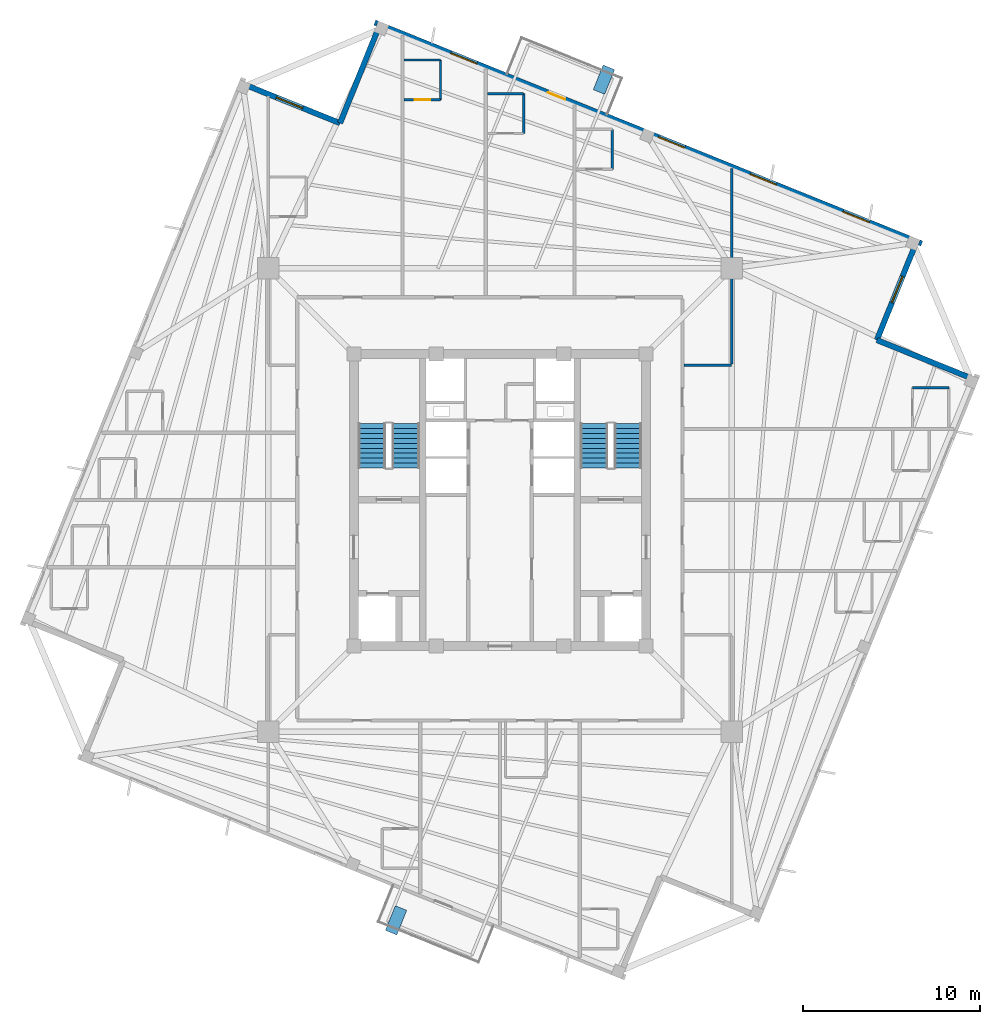
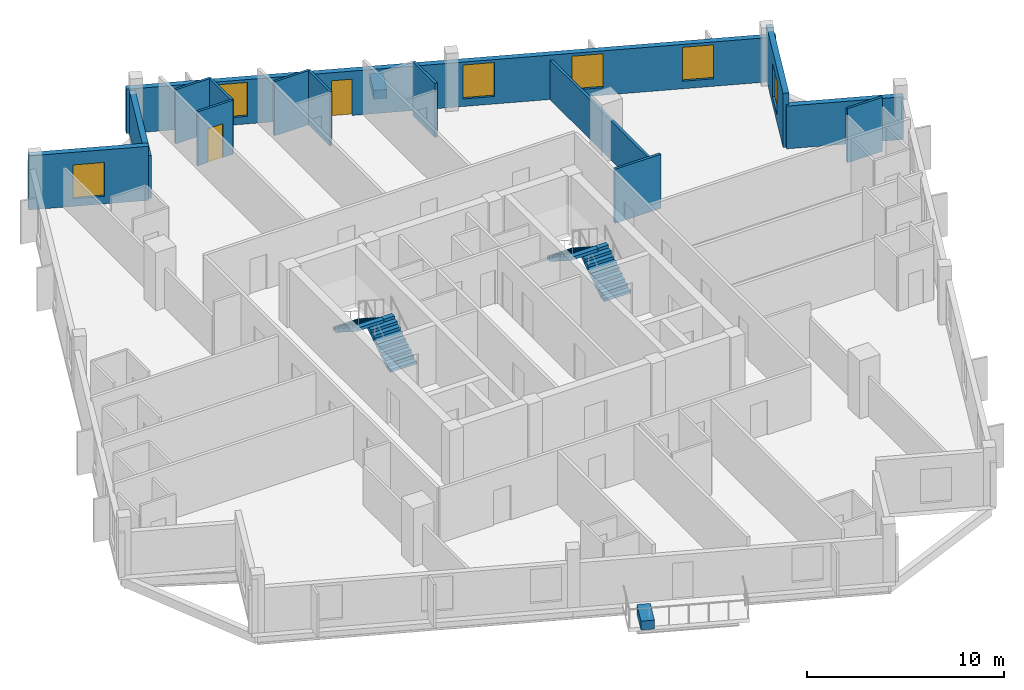
# One storey, part 6 of 9: 14 walls, 6 windows, 4 stair flights, 2 discrete accessories, 2 doors, 8 openings, 2 elements without a shape of their own.
"""IFC4 building model written with IfcOpenShell, lengths in metres."""

from ifc_helpers import new_model, si_unit, direction, frame, frame_2d, origin, origin_2d, place, context, subcontext, project, spatial, polyline, rectangle, outline, extrude, source, transform, mapped, material, layer, layer_set, type_object, element, fill, aggregate, save


model = new_model("IFC4")

# Units and contexts
model_context = context("Model", 3, precision=1e-05, world=origin(), true_north=direction((0.0, 1.0)))
body_context = subcontext(model_context, "Body", "Model", "MODEL_VIEW")
ifc_project = project(units=[si_unit("LENGTHUNIT", "METRE"), si_unit("AREAUNIT", "SQUARE_METRE"), si_unit("VOLUMEUNIT", "CUBIC_METRE"), si_unit("PLANEANGLEUNIT", "RADIAN"), si_unit("MASSUNIT", "GRAM", prefix="KILO"), si_unit("THERMODYNAMICTEMPERATUREUNIT", "KELVIN")], contexts=[model_context])

# Site, building, storey
site_placement = place(None, origin())
site = spatial("IfcSite", under=ifc_project, at=site_placement, CompositionType="ELEMENT")
building_placement = place(site_placement, origin())
building = spatial("IfcBuilding", under=site, at=building_placement, Name="Kosmvard Interchange Tower", CompositionType="ELEMENT")
storey_placement = place(building_placement, frame((0.0, 0.0, 276.0)))
storey = spatial("IfcBuildingStorey", under=building, at=storey_placement, Name="L67", CompositionType="ELEMENT", Elevation=276.0)

# Walls
ifc_material_1 = material(Name="Acoustic gypsum partition system")
ifc_layer_1 = layer(ifc_material_1, 0.14990234375, Name="Acoustic gypsum partition system")
ifc_layer_set_1 = layer_set([ifc_layer_1], Name="Acoustic gypsum partition system")
wall_type_1 = type_object("IfcWallType", Name="Acoustic Suite & Meeting Partition 150", PredefinedType="PARTITIONING", material=ifc_layer_set_1)
wall_1_placement = place(storey_placement, frame((10.39501953125, 7.60009765625, 0.0), z_axis=(0.0, 0.0, 1.0), x_axis=(1.0, 0.0, 0.0)))
element("IfcWall", 1, at=wall_1_placement, inside=storey, type_object=wall_type_1, Name="L67 Room Partition 15.1", PredefinedType="PARTITIONING", context=body_context, shape_type="SweptSolid", body=[
    extrude(rectangle(XDim=2.68603515625, YDim=0.14990234375, at=frame_2d((1.343017578125, 0.0))), origin(), (0.0, 0.0, 1.0), 3.35009765625),
])
wall_2_placement = place(storey_placement, frame((13.0810546875, 7.675048828125, 0.0), z_axis=(0.0, 0.0, 1.0), x_axis=(0.0, 1.0, 0.0)))
element("IfcWall", 2, at=wall_2_placement, inside=storey, type_object=wall_type_1, Name="L67 Room Partition 16.1", PredefinedType="PARTITIONING", context=body_context, shape_type="SweptSolid", body=[
    extrude(rectangle(XDim=11.042724609375, YDim=0.14990234375, at=frame_2d((5.521484375, 0.0))), origin(), (0.0, 0.0, 1.0), 2.449951171875),
])
ifc_material_2 = material(Name="Precast concrete C45/55", Category="concrete")
ifc_layer_2 = layer(ifc_material_2, 0.31005859375, Name="Precast concrete C45/55")
ifc_layer_set_2 = layer_set([ifc_layer_2], Name="Precast concrete C45/55")
wall_type_2 = type_object("IfcWallType", Name="Upper Tower Precast Pier Wall 310 C45/55", PredefinedType="STANDARD", material=ifc_layer_set_2)
wall_3_placement = place(storey_placement, frame((26.8408203125, 6.7841796875, 0.0), z_axis=(0.0, 0.0, 1.0), x_axis=(-0.927171722085, 0.374636620962, 0.0)))
element("IfcWall", 3, at=wall_3_placement, inside=storey, type_object=wall_type_2, Name="L67 Precast Facade Wall N-SE1", PredefinedType="STANDARD", context=body_context, shape_type="SweptSolid", body=[
    extrude(rectangle(XDim=6.0, YDim=0.31005859375, at=frame_2d((3.0, 0.0))), origin(), (0.0, 0.0, 1.0), 2.64990234375),
])

# Wall, opening, window
wall_4_placement = place(storey_placement, frame((21.27783203125, 9.031982421875, 0.0), z_axis=(0.0, 0.0, 1.0), x_axis=(0.374602739196, 0.927185411764, 0.0)))
wall_4 = element("IfcWall", 4, at=wall_4_placement, inside=storey, type_object=wall_type_2, Name="L67 Precast Facade Wall N-SE2", PredefinedType="STANDARD", context=body_context, shape_type="SweptSolid", body=[
    extrude(rectangle(XDim=6.155029296875, YDim=0.31005859375, at=frame_2d((3.07763671875, 0.0))), origin(), (0.0, 0.0, 1.0), 3.35009765625),
])
opening_1_placement = place(wall_4_placement, frame((2.277587890625, 0.0, 0.469970703125)))
opening_1 = element("IfcOpeningElement", 5, at=opening_1_placement, cuts=wall_4, Name="Opening L67-W19", PredefinedType="OPENING", context=body_context, shape_type="SweptSolid", body=[
    extrude(rectangle(XDim=1.60009765625, YDim=2.10009765625, at=frame_2d((0.800048828125, 1.050048828125))), frame((0.0, 0.1650390625, 0.0), z_axis=(0.0, -1.0, 0.0), x_axis=(1.0, 0.0, 0.0)), (0.0, 0.0, 1.0), 0.330078125),
])
ifc_material_3 = material(Name="Low-E acoustic double glazing", Category="glass")
window_type = type_object("IfcWindowType", Name="Zone 5 Hotel Punched Window 1600x2100", PartitioningType="SINGLE_PANEL", PredefinedType="WINDOW", material=ifc_material_3)
shared_shape_1 = source(origin(), body_context, "Body", "SweptSolid", [
    extrude(rectangle(XDim=1.60009765625, YDim=2.10009765625, at=frame_2d((0.800048828125, 1.050048828125))), frame((0.0, 0.030029296875, 0.0), z_axis=(0.0, -1.0, 0.0), x_axis=(1.0, 0.0, 0.0)), (0.0, 0.0, 1.0), 0.06005859375),
])
window_1_placement = place(opening_1_placement, origin())
window_1 = element("IfcWindow", 6, at=window_1_placement, inside=storey, type_object=window_type, Name="L67 Corner Notch Window 19", OverallHeight=2.10009765625, OverallWidth=1.60009765625, PartitioningType="SINGLE_PANEL", PredefinedType="WINDOW", context=body_context, shape_type="MappedRepresentation", body=[
    mapped(shared_shape_1, transform((0.0, 0.0, 0.0), scale=1.0)),
])
fill(opening_1, window_1)

# Wall, openings, door, windows
wall_5_placement = place(storey_placement, frame((23.812744140625, 14.478759765625, 0.0), z_axis=(0.0, 0.0, 1.0), x_axis=(-0.927182657188, 0.374609557019, 0.0)))
wall_5 = element("IfcWall", 7, at=wall_5_placement, inside=storey, type_object=wall_type_2, Name="L67 Precast Facade Wall F-E", PredefinedType="STANDARD", context=body_context, shape_type="SweptSolid", body=[
    extrude(rectangle(XDim=33.31005859375, YDim=0.31005859375, at=frame_2d((16.655029296875, 0.0))), origin(), (0.0, 0.0, 1.0), 2.75),
])
opening_2_placement = place(wall_5_placement, frame((21.72998046875, 0.0, 0.0)))
opening_2 = element("IfcOpeningElement", 8, at=opening_2_placement, cuts=wall_5, Name="Opening L67-BDE", PredefinedType="OPENING", context=body_context, shape_type="SweptSolid", body=[
    extrude(rectangle(XDim=1.050048828125, YDim=2.25, at=frame_2d((0.52490234375, 1.125))), frame((0.0, 0.1650390625, 0.0), z_axis=(0.0, -1.0, 0.0), x_axis=(1.0, 0.0, 0.0)), (0.0, 0.0, 1.0), 0.330078125),
])
opening_3_placement = place(wall_5_placement, frame((3.197265625, 0.0, 0.469970703125)))
opening_3 = element("IfcOpeningElement", 9, at=opening_3_placement, cuts=wall_5, Name="Opening L67-W06", PredefinedType="OPENING", context=body_context, shape_type="SweptSolid", body=[
    extrude(rectangle(XDim=1.60009765625, YDim=2.10009765625, at=frame_2d((0.800048828125, 1.050048828125))), frame((0.0, 0.1650390625, 0.0), z_axis=(0.0, -1.0, 0.0), x_axis=(1.0, 0.0, 0.0)), (0.0, 0.0, 1.0), 0.330078125),
])
opening_4_placement = place(wall_5_placement, frame((8.85986328125, 0.0, 0.469970703125)))
opening_4 = element("IfcOpeningElement", 10, at=opening_4_placement, cuts=wall_5, Name="Opening L67-W07", PredefinedType="OPENING", context=body_context, shape_type="SweptSolid", body=[
    extrude(rectangle(XDim=1.60009765625, YDim=2.10009765625, at=frame_2d((0.800048828125, 1.050048828125))), frame((0.0, 0.1650390625, 0.0), z_axis=(0.0, -1.0, 0.0), x_axis=(1.0, 0.0, 0.0)), (0.0, 0.0, 1.0), 0.330078125),
])
opening_5_placement = place(wall_5_placement, frame((14.438720703125, 0.0, 0.469970703125)))
opening_5 = element("IfcOpeningElement", 11, at=opening_5_placement, cuts=wall_5, Name="Opening L67-W08", PredefinedType="OPENING", context=body_context, shape_type="SweptSolid", body=[
    extrude(rectangle(XDim=1.60009765625, YDim=2.10009765625, at=frame_2d((0.800048828125, 1.050048828125))), frame((0.0, 0.1650390625, 0.0), z_axis=(0.0, -1.0, 0.0), x_axis=(1.0, 0.0, 0.0)), (0.0, 0.0, 1.0), 0.330078125),
])
opening_6_placement = place(wall_5_placement, frame((27.0966796875, 0.0, 0.469970703125)))
opening_6 = element("IfcOpeningElement", 12, at=opening_6_placement, cuts=wall_5, Name="Opening L67-W09", PredefinedType="OPENING", context=body_context, shape_type="SweptSolid", body=[
    extrude(rectangle(XDim=1.60009765625, YDim=2.10009765625, at=frame_2d((0.800048828125, 1.050048828125))), frame((0.0, 0.1650390625, 0.0), z_axis=(0.0, -1.0, 0.0), x_axis=(1.0, 0.0, 0.0)), (0.0, 0.0, 1.0), 0.330078125),
])
ifc_material_4 = material(Name="Anodised aluminium and safety glass", Category="aluminium")
door_type_1 = type_object("IfcDoorType", Name="Tree-Balcony Glazed Door 1050x2250", OperationType="NOTDEFINED", PredefinedType="DOOR", material=ifc_material_4)
shared_shape_2 = source(origin(), body_context, "Body", "SweptSolid", [
    extrude(rectangle(XDim=1.050048828125, YDim=2.25, at=frame_2d((0.52490234375, 1.125))), frame((0.0, 0.02490234375, 0.0), z_axis=(0.0, -1.0, 0.0), x_axis=(1.0, 0.0, 0.0)), (0.0, 0.0, 1.0), 0.050048828125),
])
door_1_placement = place(opening_2_placement, origin())
door_1 = element("IfcDoor", 13, at=door_1_placement, inside=storey, type_object=door_type_1, Name="L67 Tree-Balcony Door BAL-L67-E", OperationType="SINGLE_SWING_RIGHT", OverallHeight=2.25, OverallWidth=1.050048828125, PredefinedType="DOOR", context=body_context, shape_type="MappedRepresentation", body=[
    mapped(shared_shape_2, transform((0.0, 0.0, 0.0), scale=1.0)),
])
fill(opening_2, door_1)
window_2_placement = place(opening_3_placement, origin())
window_2 = element("IfcWindow", 14, at=window_2_placement, inside=storey, type_object=window_type, Name="L67 Facade Punched Window 06", OverallHeight=2.10009765625, OverallWidth=1.60009765625, PartitioningType="SINGLE_PANEL", PredefinedType="WINDOW", context=body_context, shape_type="MappedRepresentation", body=[
    mapped(shared_shape_1, transform((0.0, 0.0, 0.0), scale=1.0)),
])
fill(opening_3, window_2)
window_3_placement = place(opening_4_placement, origin())
window_3 = element("IfcWindow", 15, at=window_3_placement, inside=storey, type_object=window_type, Name="L67 Facade Punched Window 07", OverallHeight=2.10009765625, OverallWidth=1.60009765625, PartitioningType="SINGLE_PANEL", PredefinedType="WINDOW", context=body_context, shape_type="MappedRepresentation", body=[
    mapped(shared_shape_1, transform((0.0, 0.0, 0.0), scale=1.0)),
])
fill(opening_4, window_3)
window_4_placement = place(opening_5_placement, origin())
window_4 = element("IfcWindow", 16, at=window_4_placement, inside=storey, type_object=window_type, Name="L67 Facade Punched Window 08", OverallHeight=2.10009765625, OverallWidth=1.60009765625, PartitioningType="SINGLE_PANEL", PredefinedType="WINDOW", context=body_context, shape_type="MappedRepresentation", body=[
    mapped(shared_shape_1, transform((0.0, 0.0, 0.0), scale=1.0)),
])
fill(opening_5, window_4)
window_5_placement = place(opening_6_placement, origin())
window_5 = element("IfcWindow", 17, at=window_5_placement, inside=storey, type_object=window_type, Name="L67 Facade Punched Window 09", OverallHeight=2.10009765625, OverallWidth=1.60009765625, PartitioningType="SINGLE_PANEL", PredefinedType="WINDOW", context=body_context, shape_type="MappedRepresentation", body=[
    mapped(shared_shape_1, transform((0.0, 0.0, 0.0), scale=1.0)),
])
fill(opening_6, window_5)

# Wall
wall_6_placement = place(storey_placement, frame((-6.7841796875, 26.8408203125, 0.0), z_axis=(0.0, 0.0, 1.0), x_axis=(-0.374636620962, -0.927171722085, 0.0)))
element("IfcWall", 18, at=wall_6_placement, inside=storey, type_object=wall_type_2, Name="L67 Precast Facade Wall N-NE1", PredefinedType="STANDARD", context=body_context, shape_type="SweptSolid", body=[
    extrude(rectangle(XDim=6.0, YDim=0.31005859375, at=frame_2d((3.0, 0.0))), origin(), (0.0, 0.0, 1.0), 2.64990234375),
])

# Wall, opening, window
wall_7_placement = place(storey_placement, frame((-9.031982421875, 21.27783203125, 0.0), z_axis=(0.0, 0.0, 1.0), x_axis=(-0.927185411764, 0.374602739196, 0.0)))
wall_7 = element("IfcWall", 19, at=wall_7_placement, inside=storey, type_object=wall_type_2, Name="L67 Precast Facade Wall N-NE2", PredefinedType="STANDARD", context=body_context, shape_type="SweptSolid", body=[
    extrude(rectangle(XDim=6.155029296875, YDim=0.31005859375, at=frame_2d((3.07763671875, 0.0))), origin(), (0.0, 0.0, 1.0), 3.35009765625),
])
opening_7_placement = place(wall_7_placement, frame((2.277587890625, 0.0, 0.469970703125)))
opening_7 = element("IfcOpeningElement", 20, at=opening_7_placement, cuts=wall_7, Name="Opening L67-W20", PredefinedType="OPENING", context=body_context, shape_type="SweptSolid", body=[
    extrude(rectangle(XDim=1.60009765625, YDim=2.10009765625, at=frame_2d((0.800048828125, 1.050048828125))), frame((0.0, 0.1650390625, 0.0), z_axis=(0.0, -1.0, 0.0), x_axis=(1.0, 0.0, 0.0)), (0.0, 0.0, 1.0), 0.330078125),
])
window_6_placement = place(opening_7_placement, origin())
window_6 = element("IfcWindow", 21, at=window_6_placement, inside=storey, type_object=window_type, Name="L67 Corner Notch Window 20", OverallHeight=2.10009765625, OverallWidth=1.60009765625, PartitioningType="SINGLE_PANEL", PredefinedType="WINDOW", context=body_context, shape_type="MappedRepresentation", body=[
    mapped(shared_shape_1, transform((0.0, 0.0, 0.0), scale=1.0)),
])
fill(opening_7, window_6)

# Wall, opening, door
ifc_material_5 = material(Name="Moisture-resistant gypsum partition")
ifc_layer_3 = layer(ifc_material_5, 0.135009765625, Name="Moisture-resistant gypsum partition")
ifc_layer_set_3 = layer_set([ifc_layer_3], Name="Moisture-resistant gypsum partition")
wall_type_3 = type_object("IfcWallType", Name="Wet Room Moisture-Resistant Partition 135", PredefinedType="PARTITIONING", material=ifc_layer_set_3)
wall_8_placement = place(storey_placement, frame((-5.409912109375, 22.591552734375, 0.0), z_axis=(0.0, 0.0, 1.0), x_axis=(1.0, 0.0, 0.0)))
wall_8 = element("IfcWall", 22, at=wall_8_placement, inside=storey, type_object=wall_type_3, Name="L67 En-Suite Partition HCS1-S", PredefinedType="PARTITIONING", context=body_context, shape_type="SweptSolid", body=[
    extrude(rectangle(XDim=2.0498046875, YDim=0.135009765625, at=frame_2d((1.02490234375, 0.0))), origin(), (0.0, 0.0, 1.0), 3.35009765625),
])
opening_8_placement = place(wall_8_placement, frame((0.5849609375, 0.0, 0.0)))
opening_8 = element("IfcOpeningElement", 23, at=opening_8_placement, cuts=wall_8, Name="Opening L67-ED09", PredefinedType="OPENING", context=body_context, shape_type="SweptSolid", body=[
    extrude(rectangle(XDim=0.8798828125, YDim=2.10009765625, at=frame_2d((0.43994140625, 1.050048828125))), frame((0.0, 0.07763671875, 0.0), z_axis=(0.0, -1.0, 0.0), x_axis=(1.0, 0.0, 0.0)), (0.0, 0.0, 1.0), 0.155029296875),
])
ifc_material_6 = material(Name="Laminated moisture-resistant timber", Category="wood")
door_type_2 = type_object("IfcDoorType", Name="En-Suite & Washroom Door 880x2100", OperationType="NOTDEFINED", PredefinedType="DOOR", material=ifc_material_6)
shared_shape_3 = source(origin(), body_context, "Body", "SweptSolid", [
    extrude(rectangle(XDim=0.8798828125, YDim=2.10009765625, at=frame_2d((0.43994140625, 1.050048828125))), frame((0.0, 0.02490234375, 0.0), z_axis=(0.0, -1.0, 0.0), x_axis=(1.0, 0.0, 0.0)), (0.0, 0.0, 1.0), 0.050048828125),
])
door_2_placement = place(opening_8_placement, origin())
door_2 = element("IfcDoor", 24, at=door_2_placement, inside=storey, type_object=door_type_2, Name="L67 HCS1 En-Suite Door", OperationType="SINGLE_SWING_RIGHT", OverallHeight=2.10009765625, OverallWidth=0.8798828125, PredefinedType="DOOR", context=body_context, shape_type="MappedRepresentation", body=[
    mapped(shared_shape_3, transform((0.0, 0.0, 0.0), scale=1.0)),
])
fill(opening_8, door_2)

# Walls
wall_9_placement = place(storey_placement, frame((-3.360107421875, 22.591552734375, 0.0), z_axis=(0.0, 0.0, 1.0), x_axis=(0.0, 1.0, 0.0)))
element("IfcWall", 25, at=wall_9_placement, inside=storey, type_object=wall_type_3, Name="L67 En-Suite Partition HCS1-E", PredefinedType="PARTITIONING", context=body_context, shape_type="SweptSolid", body=[
    extrude(rectangle(XDim=2.25, YDim=0.135009765625, at=frame_2d((1.125, 0.0))), origin(), (0.0, 0.0, 1.0), 3.35009765625),
])
wall_10_placement = place(storey_placement, frame((-5.409912109375, 24.841552734375, 0.0), z_axis=(0.0, 0.0, 1.0), x_axis=(1.0, 0.0, 0.0)))
element("IfcWall", 26, at=wall_10_placement, inside=storey, type_object=wall_type_3, Name="L67 En-Suite Partition HCS1-N", PredefinedType="PARTITIONING", context=body_context, shape_type="SweptSolid", body=[
    extrude(rectangle(XDim=2.0498046875, YDim=0.135009765625, at=frame_2d((1.02490234375, 0.0))), origin(), (0.0, 0.0, 1.0), 3.35009765625),
])
wall_11_placement = place(storey_placement, frame((1.340087890625, 20.692626953125, 0.0), z_axis=(0.0, 0.0, 1.0), x_axis=(0.0, 1.0, 0.0)))
element("IfcWall", 27, at=wall_11_placement, inside=storey, type_object=wall_type_3, Name="L67 En-Suite Partition HGR4-E", PredefinedType="PARTITIONING", context=body_context, shape_type="SweptSolid", body=[
    extrude(rectangle(XDim=2.25, YDim=0.135009765625, at=frame_2d((1.125, 0.0))), origin(), (0.0, 0.0, 1.0), 3.35009765625),
])
wall_12_placement = place(storey_placement, frame((-0.7099609375, 22.942626953125, 0.0), z_axis=(0.0, 0.0, 1.0), x_axis=(1.0, 0.0, 0.0)))
element("IfcWall", 28, at=wall_12_placement, inside=storey, type_object=wall_type_3, Name="L67 En-Suite Partition HGR4-N", PredefinedType="PARTITIONING", context=body_context, shape_type="SweptSolid", body=[
    extrude(rectangle(XDim=2.050048828125, YDim=0.135009765625, at=frame_2d((1.02490234375, 0.0))), origin(), (0.0, 0.0, 1.0), 3.35009765625),
])
wall_13_placement = place(storey_placement, frame((6.340087890625, 18.672607421875, 0.0), z_axis=(0.0, 0.0, 1.0), x_axis=(0.0, 1.0, 0.0)))
element("IfcWall", 29, at=wall_13_placement, inside=storey, type_object=wall_type_3, Name="L67 En-Suite Partition HGR5-E", PredefinedType="PARTITIONING", context=body_context, shape_type="SweptSolid", body=[
    extrude(rectangle(XDim=2.25, YDim=0.135009765625, at=frame_2d((1.125, 0.0))), origin(), (0.0, 0.0, 1.0), 3.35009765625),
])
wall_14_placement = place(storey_placement, frame((23.29150390625, 6.340087890625, 0.0), z_axis=(0.0, 0.0, 1.0), x_axis=(1.0, 0.0, 0.0)))
element("IfcWall", 30, at=wall_14_placement, inside=storey, type_object=wall_type_3, Name="L67 En-Suite Partition HCS2-N", PredefinedType="PARTITIONING", context=body_context, shape_type="SweptSolid", body=[
    extrude(rectangle(XDim=2.050048828125, YDim=0.135009765625, at=frame_2d((1.02490234375, 0.0))), origin(), (0.0, 0.0, 1.0), 3.35009765625),
])

# Stair, stair flights
ifc_material_7 = material(Name="Concrete C50/60", Category="concrete")
stair_type = type_object("IfcStairType", Name="Dog-Leg Core Exit Stair H3600 C50/60", PredefinedType="HALF_TURN_STAIR", material=ifc_material_7)
stair_1_placement = place(storey_placement, origin())
stair_1 = element("IfcStair", 31, at=stair_1_placement, inside=storey, type_object=stair_type, Name="L67 Protected Exit Stair ST-1", PredefinedType="HALF_TURN_STAIR")
stair_flight_type = type_object("IfcStairFlightType", Name="Core Stair Flight W1550 H3600 C50/60", PredefinedType="STRAIGHT", material=ifc_material_7)
shared_shape_4 = source(origin(), body_context, "Body", "SweptSolid", [
    extrude(outline(polyline([(0.0, 0.0), (0.0, 0.179931640625), (0.280029296875, 0.179931640625), (0.280029296875, 0.360107421875), (0.56005859375, 0.360107421875), (0.56005859375, 0.5400390625), (0.840087890625, 0.5400390625), (0.840087890625, 0.719970703125), (1.1201171875, 0.719970703125), (1.1201171875, 0.89990234375), (1.39990234375, 0.89990234375), (1.39990234375, 1.080078125), (1.679931640625, 1.080078125), (1.679931640625, 1.260009765625), (1.9599609375, 1.260009765625), (1.9599609375, 1.43994140625), (2.239990234375, 1.43994140625), (2.239990234375, 1.6201171875), (2.52001953125, 1.6201171875), (2.52001953125, 1.800048828125), (2.52001953125, 1.429931640625), (0.295654296875, 0.0), (0.0, 0.0)])), frame((0.0, 0.77490234375, 0.0), z_axis=(0.0, -1.0, 0.0), x_axis=(1.0, 0.0, 0.0)), (0.0, 0.0, 1.0), 1.550048828125),
])
stair_flight_1_placement = place(storey_placement, frame((-5.31494140625, 1.800048828125, 0.0), z_axis=(0.0, 0.0, 1.0), x_axis=(0.0, 1.0, 0.0)))
stair_flight_1 = element("IfcStairFlight", 32, at=stair_flight_1_placement, type_object=stair_flight_type, Name="ST-1 flight 1", NumberOfRisers=10, NumberOfTreads=9, PredefinedType="STRAIGHT", RiserHeight=0.18, TreadLength=0.28, context=body_context, shape_type="MappedRepresentation", body=[
    mapped(shared_shape_4, transform((0.0, 0.0, 0.0), scale=1.0)),
])
stair_flight_2_placement = place(storey_placement, frame((-7.22509765625, 4.320068359375, 1.800048828125), z_axis=(0.0, 0.0, 1.0), x_axis=(0.0, -1.0, 0.0)))
stair_flight_2 = element("IfcStairFlight", 33, at=stair_flight_2_placement, type_object=stair_flight_type, Name="ST-1 flight 2", NumberOfRisers=10, NumberOfTreads=9, PredefinedType="STRAIGHT", RiserHeight=0.18, TreadLength=0.28, context=body_context, shape_type="MappedRepresentation", body=[
    mapped(shared_shape_4, transform((0.0, 0.0, 0.0), scale=1.0)),
])
aggregate(stair_1, [stair_flight_1, stair_flight_2])

stair_2_placement = place(storey_placement, origin())
stair_2 = element("IfcStair", 34, at=stair_2_placement, inside=storey, type_object=stair_type, Name="L67 Protected Exit Stair ST-2", PredefinedType="HALF_TURN_STAIR")
stair_flight_3_placement = place(storey_placement, frame((7.22509765625, 1.800048828125, 0.0), z_axis=(0.0, 0.0, 1.0), x_axis=(0.0, 1.0, 0.0)))
stair_flight_3 = element("IfcStairFlight", 35, at=stair_flight_3_placement, type_object=stair_flight_type, Name="ST-2 flight 1", NumberOfRisers=10, NumberOfTreads=9, PredefinedType="STRAIGHT", RiserHeight=0.18, TreadLength=0.28, context=body_context, shape_type="MappedRepresentation", body=[
    mapped(shared_shape_4, transform((0.0, 0.0, 0.0), scale=1.0)),
])
stair_flight_4_placement = place(storey_placement, frame((5.31494140625, 4.320068359375, 1.800048828125), z_axis=(0.0, 0.0, 1.0), x_axis=(0.0, -1.0, 0.0)))
stair_flight_4 = element("IfcStairFlight", 36, at=stair_flight_4_placement, type_object=stair_flight_type, Name="ST-2 flight 2", NumberOfRisers=10, NumberOfTreads=9, PredefinedType="STRAIGHT", RiserHeight=0.18, TreadLength=0.28, context=body_context, shape_type="MappedRepresentation", body=[
    mapped(shared_shape_4, transform((0.0, 0.0, 0.0), scale=1.0)),
])
aggregate(stair_2, [stair_flight_3, stair_flight_4])

# Discrete accessories
ifc_material_8 = material(Name="Terracotta precast planter concrete C45/55", Category="masonry")
discrete_accessory_type = type_object("IfcDiscreteAccessoryType", Name="Precast Tree-Balcony & Terrace Planter Box", PredefinedType="USERDEFINED", material=ifc_material_8)
shared_shape_5 = source(origin(), body_context, "Body", "SweptSolid", [
    extrude(rectangle(XDim=1.5, YDim=0.699951171875, at=origin_2d()), origin(), (0.0, 0.0, 1.0), 0.550048828125),
])
for number, where, z_axis, x_axis, name in (
    (37, (5.86669921875, 23.730224609375, 0.0), (0.0, 0.0, 1.0), (0.374606593416, 0.927183854567, 0.0), "L67 Balcony Tree Planter BAL-L67-E"),
    (38, (-5.86669921875, -23.730224609375, 0.0), (0.0, 0.0, 1.0), (0.374606593416, 0.927183854567, 0.0), "L67 Balcony Tree Planter BAL-L67-W"),
):
    element("IfcDiscreteAccessory", number, at=place(storey_placement, frame(where, z_axis=z_axis, x_axis=x_axis)), inside=storey, type_object=discrete_accessory_type, Name=name, ObjectType="PLANTER", PredefinedType="USERDEFINED", context=body_context, shape_type="MappedRepresentation", body=[
        mapped(shared_shape_5, transform((0.0, 0.0, 0.0), scale=1.0)),
    ])

save(model, "model.ifc")
